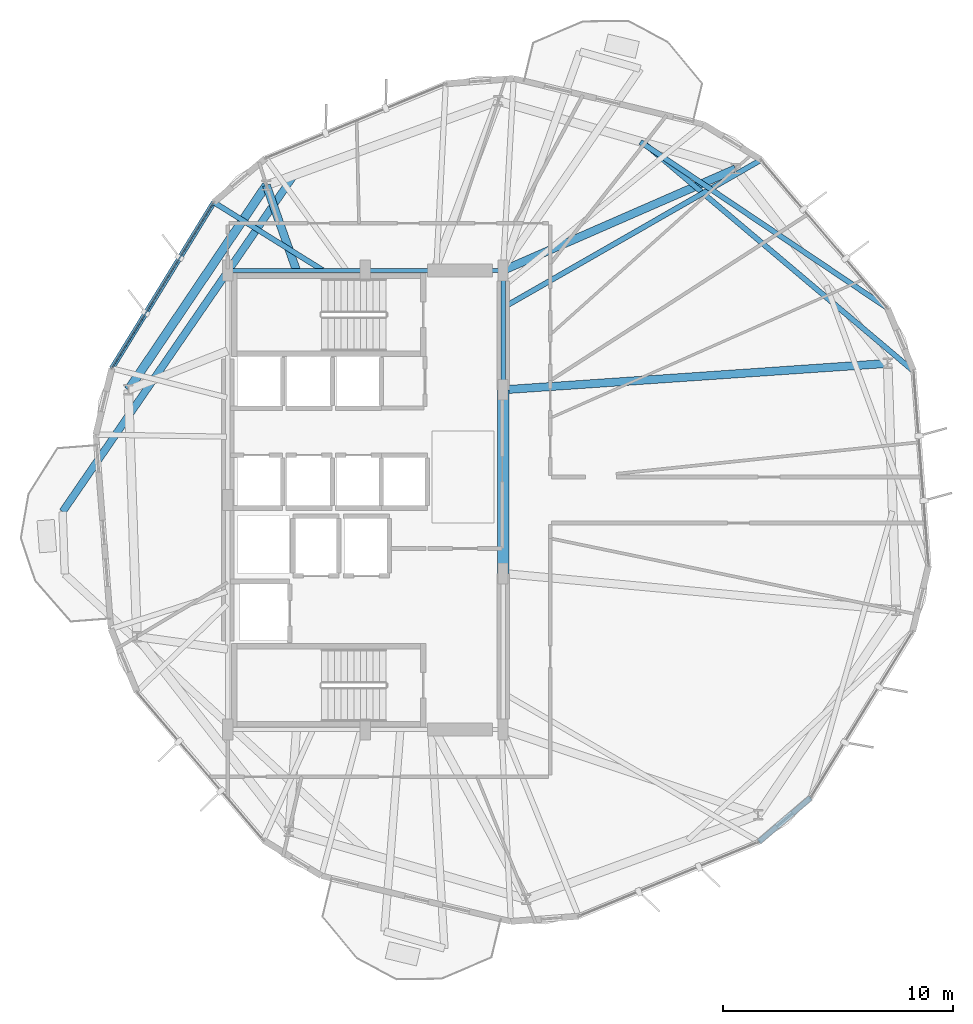
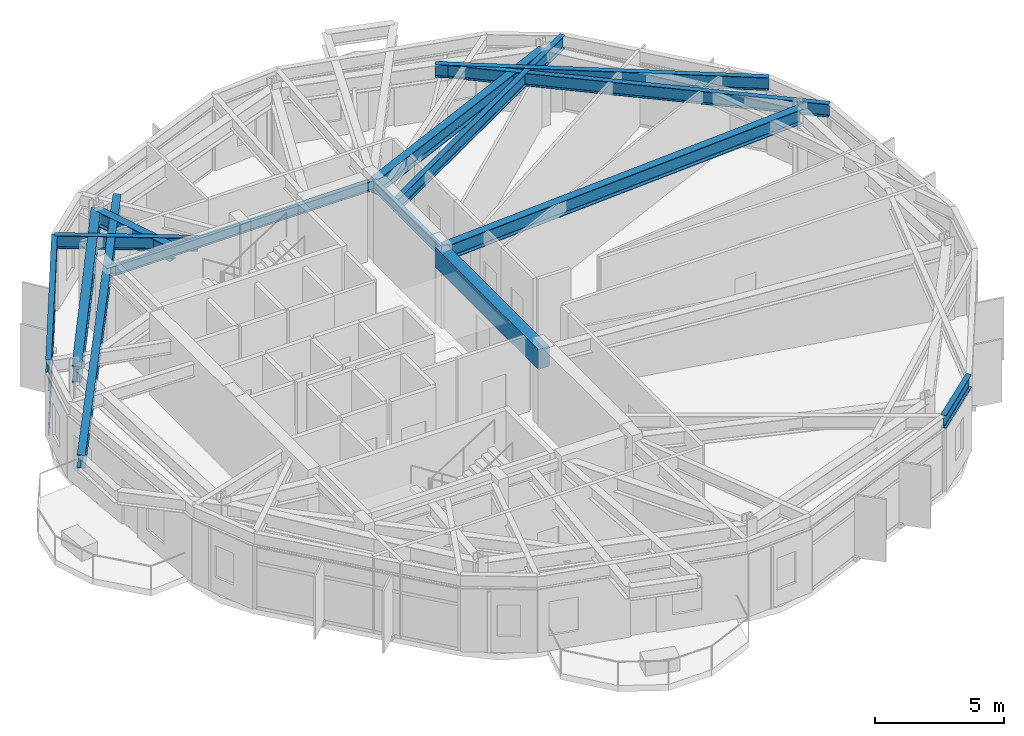
# One storey, part 8 of 21: 15 beams, 3 members, 1 element without a shape of its own.
"""IFC4 building model written with IfcOpenShell, lengths in metres."""

from ifc_helpers import new_model, si_unit, direction, frame, origin, origin_2d, place, context, subcontext, project, spatial, rectangle, hollow_rectangle, i_section, extrude, material, layer, layer_set, material_profile, profile_set, type_object, element, aggregate, save


model = new_model("IFC4")

# Units and contexts
model_context = context("Model", 3, precision=1e-05, world=origin(), true_north=direction((0.0, 1.0)))
body_context = subcontext(model_context, "Body", "Model", "MODEL_VIEW")
ifc_project = project(units=[si_unit("LENGTHUNIT", "METRE"), si_unit("AREAUNIT", "SQUARE_METRE"), si_unit("VOLUMEUNIT", "CUBIC_METRE"), si_unit("PLANEANGLEUNIT", "RADIAN"), si_unit("MASSUNIT", "GRAM", prefix="KILO")], contexts=[model_context])

# Site, building, storey
site_placement = place(None, origin())
site = spatial("IfcSite", under=ifc_project, at=site_placement, CompositionType="ELEMENT")
building_placement = place(site_placement, origin())
building = spatial("IfcBuilding", under=site, at=building_placement, Name="Soratama Intermodal Tower", CompositionType="ELEMENT")
storey_placement = place(building_placement, frame((0.0, 0.0, 114.699951171875)))
storey = spatial("IfcBuildingStorey", under=building, at=storey_placement, Name="L27", CompositionType="ELEMENT", Elevation=114.699951171875)

# Beams
ifc_material_1 = material(Name="Structural steel ASTM A992 Grade 50", Category="steel")
ifc_material_profile_1 = material_profile(ifc_material_1, i_section(OverallWidth=0.324951171875, OverallDepth=0.615966796875, WebThickness=0.013916015625, FlangeThickness=0.021484375, FilletRadius=0.013916015625, at=origin_2d()), Name="W24X117")
ifc_profile_set_1 = profile_set([ifc_material_profile_1], Name="Structural steel ASTM A992 Grade 50")
beam_type_1 = type_object("IfcBeamType", Name="BM-CANT-W24X117", PredefinedType="BEAM", material=ifc_profile_set_1)
beam_1_placement = place(storey_placement, frame((35.466064453125, 39.115966796875, 3.2919921875), z_axis=(-0.566547504396, -0.82402908035, 0.0), x_axis=(0.82402908035, -0.566547504396, 0.0)))
element("IfcBeam", 1, at=beam_1_placement, inside=storey, type_object=beam_type_1, Name="BM-L27-CANT-2-1", PredefinedType="BEAM", context=body_context, shape_type="SweptSolid", body=[
    extrude(i_section(OverallWidth=0.324951171875, OverallDepth=0.615966796875, WebThickness=0.013916015625, FlangeThickness=0.021484375, FilletRadius=0.013916015625, at=origin_2d()), origin(), (0.0, 0.0, 1.0), 17.748046875),
])
ifc_material_2 = material(Name="Concrete f'c 56 MPa", Category="concrete")
ifc_material_profile_2 = material_profile(ifc_material_2, rectangle(XDim=0.5, YDim=0.949951171875, at=origin_2d()), Name="RC500X950")
ifc_profile_set_2 = profile_set([ifc_material_profile_2], Name="Concrete f'c 56 MPa")
beam_type_2 = type_object("IfcBeamType", Name="BM-CPL-RC500X950", PredefinedType="BEAM", material=ifc_profile_set_2)
beam_2_placement = place(storey_placement, frame((44.60009765625, 21.800048828125, 3.125), z_axis=(0.0, 1.0, 0.0), x_axis=(-1.0, 0.0, 0.0)))
element("IfcBeam", 2, at=beam_2_placement, inside=storey, type_object=beam_type_2, Name="L27 Core Coupling Beam East", PredefinedType="BEAM", context=body_context, shape_type="SweptSolid", body=[
    extrude(rectangle(XDim=0.5, YDim=0.949951171875, at=origin_2d()), origin(), (0.0, 0.0, 1.0), 8.0),
])
ifc_material_3 = material(Name="Structural steel ASTM A992 Grade 50", Category="steel")
ifc_material_profile_3 = material_profile(ifc_material_3, i_section(OverallWidth=0.19091796875, OverallDepth=0.4599609375, WebThickness=0.010009765625, FlangeThickness=0.01611328125, FilletRadius=0.010986328125, at=origin_2d()), Name="W18X55")
ifc_profile_set_3 = profile_set([ifc_material_profile_3], Name="Structural steel ASTM A992 Grade 50")
beam_type_3 = type_object("IfcBeamType", Name="BM-FLR-W18X55", PredefinedType="BEAM", material=ifc_profile_set_3)
beam_3_placement = place(storey_placement, frame((44.60009765625, 29.800048828125, 3.3701171875), z_axis=(0.0, 1.0, 0.0), x_axis=(-1.0, 0.0, 0.0)))
element("IfcBeam", 3, at=beam_3_placement, inside=storey, type_object=beam_type_3, Name="BM-L27-CRING-05", PredefinedType="BEAM", context=body_context, shape_type="SweptSolid", body=[
    extrude(i_section(OverallWidth=0.19091796875, OverallDepth=0.4599609375, WebThickness=0.010009765625, FlangeThickness=0.01611328125, FilletRadius=0.010986328125, at=origin_2d()), origin(), (0.0, 0.0, 1.0), 5.199951171875),
])
for number, where, z_axis, x_axis, name in (
    (4, (44.60009765625, 35.0, 3.3701171875), (-1.0, 0.0, 0.0), (0.0, -1.0, 0.0), "BM-L27-CRING-06"),
    (5, (38.60009765625, 35.0, 3.3701171875), (-1.0, 0.0, 0.0), (0.0, -1.0, 0.0), "BM-L27-CRING-07"),
):
    element("IfcBeam", number, at=place(storey_placement, frame(where, z_axis=z_axis, x_axis=x_axis)), inside=storey, type_object=beam_type_3, Name=name, PredefinedType="BEAM", context=body_context, shape_type="SweptSolid", body=[
        extrude(i_section(OverallWidth=0.19091796875, OverallDepth=0.4599609375, WebThickness=0.010009765625, FlangeThickness=0.01611328125, FilletRadius=0.010986328125, at=origin_2d()), origin(), (0.0, 0.0, 1.0), 6.0),
    ])
ifc_material_4 = material(Name="Structural steel ASTM A992 Grade 50", Category="steel")
ifc_material_profile_4 = material_profile(ifc_material_4, i_section(OverallWidth=0.35498046875, OverallDepth=0.695068359375, WebThickness=0.015380859375, FlangeThickness=0.02490234375, FilletRadius=0.01611328125, at=origin_2d()), Name="W27X146")
ifc_profile_set_4 = profile_set([ifc_material_profile_4], Name="Structural steel ASTM A992 Grade 50")
beam_type_4 = type_object("IfcBeamType", Name="BM-RING-W27X146", PredefinedType="BEAM", material=ifc_profile_set_4)
beam_4_placement = place(storey_placement, frame((44.60009765625, 29.800048828125, 3.25244140625), z_axis=(0.99764812202, 0.06854359656, 0.0), x_axis=(-0.06854359656, 0.99764812202, 0.0)))
element("IfcBeam", 6, at=beam_4_placement, inside=storey, type_object=beam_type_4, Name="BM-L27-RAD-01", PredefinedType="BEAM", context=body_context, shape_type="SweptSolid", body=[
    extrude(i_section(OverallWidth=0.35498046875, OverallDepth=0.695068359375, WebThickness=0.015380859375, FlangeThickness=0.02490234375, FilletRadius=0.01611328125, at=origin_2d()), origin(), (0.0, 0.0, 1.0), 16.79052734375),
])
beam_5_placement = place(storey_placement, frame((44.60009765625, 35.0, 3.25244140625), z_axis=(0.91638224797, 0.400304353718, 0.0), x_axis=(-0.400304353718, 0.91638224797, 0.0)))
element("IfcBeam", 7, at=beam_5_placement, inside=storey, type_object=beam_type_4, Name="BM-L27-RAD-02", PredefinedType="BEAM", context=body_context, shape_type="SweptSolid", body=[
    extrude(i_section(OverallWidth=0.35498046875, OverallDepth=0.695068359375, WebThickness=0.015380859375, FlangeThickness=0.02490234375, FilletRadius=0.01611328125, at=origin_2d()), origin(), (0.0, 0.0, 1.0), 11.05419921875),
])
beam_6_placement = place(storey_placement, frame((35.60009765625, 35.0, 3.25244140625), z_axis=(-0.333332697239, 0.942809266475, 0.0), x_axis=(-0.942809266475, -0.333332697239, 0.0)))
element("IfcBeam", 8, at=beam_6_placement, inside=storey, type_object=beam_type_4, Name="BM-L27-RAD-04", PredefinedType="BEAM", context=body_context, shape_type="SweptSolid", body=[
    extrude(i_section(OverallWidth=0.35498046875, OverallDepth=0.695068359375, WebThickness=0.015380859375, FlangeThickness=0.02490234375, FilletRadius=0.01611328125, at=origin_2d()), origin(), (0.0, 0.0, 1.0), 3.93603515625),
])
ifc_material_5 = material(Name="Structural steel ASTM A992 Grade 50", Category="steel")
ifc_material_profile_5 = material_profile(ifc_material_5, i_section(OverallWidth=0.382080078125, OverallDepth=0.779052734375, WebThickness=0.01806640625, FlangeThickness=0.030029296875, FilletRadius=0.01806640625, at=origin_2d()), Name="W30X191")
ifc_profile_set_5 = profile_set([ifc_material_profile_5], Name="Structural steel ASTM A992 Grade 50")
beam_type_5 = type_object("IfcBeamType", Name="BM-RING-W30X191", PredefinedType="BEAM", material=ifc_profile_set_5)
beam_7_placement = place(storey_placement, frame((34.2880859375, 38.7109375, 3.21044921875), z_axis=(-0.559249807749, -0.828999187293, 0.0), x_axis=(0.828999187293, -0.559249807749, 0.0)))
element("IfcBeam", 9, at=beam_7_placement, inside=storey, type_object=beam_type_5, Name="BM-L27-RING-04", PredefinedType="BEAM", context=body_context, shape_type="SweptSolid", body=[
    extrude(i_section(OverallWidth=0.382080078125, OverallDepth=0.779052734375, WebThickness=0.01806640625, FlangeThickness=0.030029296875, FilletRadius=0.01806640625, at=origin_2d()), origin(), (0.0, 0.0, 1.0), 10.75390625),
])
ifc_material_6 = material(Name="Structural steel ASTM A992 Grade 50", Category="steel")
ifc_material_profile_6 = material_profile(ifc_material_6, i_section(OverallWidth=0.22900390625, OverallDepth=0.612060546875, WebThickness=0.011962890625, FlangeThickness=0.01953125, FilletRadius=0.012939453125, at=origin_2d()), Name="W24X84")
ifc_profile_set_6 = profile_set([ifc_material_profile_6], Name="Structural steel ASTM A992 Grade 50")
beam_type_6 = type_object("IfcBeamType", Name="BM-SPN-W24X84", PredefinedType="SPANDREL", material=ifc_profile_set_6)
beam_8_placement = place(storey_placement, frame((31.998046875, 37.968017578125, 3.2939453125), z_axis=(-0.523389774417, -0.852093389269, 0.0), x_axis=(0.852093389269, -0.523389774417, 0.0)))
element("IfcBeam", 10, at=beam_8_placement, inside=storey, type_object=beam_type_6, Name="BS-L27-F04", PredefinedType="SPANDREL", context=body_context, shape_type="SweptSolid", body=[
    extrude(i_section(OverallWidth=0.22900390625, OverallDepth=0.612060546875, WebThickness=0.011962890625, FlangeThickness=0.01953125, FilletRadius=0.012939453125, at=origin_2d()), origin(), (0.0, 0.0, 1.0), 8.490966796875),
])
beam_9_placement = place(storey_placement, frame((55.743896484375, 10.10693359375, 3.2939453125), z_axis=(0.760990451925, 0.648763078542, 0.0), x_axis=(-0.648763078542, 0.760990451925, 0.0)))
element("IfcBeam", 11, at=beam_9_placement, inside=storey, type_object=beam_type_6, Name="BS-L27-CRN08", PredefinedType="SPANDREL", context=body_context, shape_type="SweptSolid", body=[
    extrude(i_section(OverallWidth=0.22900390625, OverallDepth=0.612060546875, WebThickness=0.011962890625, FlangeThickness=0.01953125, FilletRadius=0.012939453125, at=origin_2d()), origin(), (0.0, 0.0, 1.0), 2.96728515625),
])
ifc_material_7 = material(Name="Structural steel ASTM A992 Grade 50", Category="steel")
ifc_material_profile_7 = material_profile(ifc_material_7, i_section(OverallWidth=0.22900390625, OverallDepth=0.612060546875, WebThickness=0.011962890625, FlangeThickness=0.01953125, FilletRadius=0.012939453125, at=origin_2d()), Name="W24X84")
ifc_profile_set_7 = profile_set([ifc_material_profile_7], Name="Structural steel ASTM A992 Grade 50")
beam_type_7 = type_object("IfcBeamType", Name="BM-TIE-W24X84", PredefinedType="BEAM", material=ifc_profile_set_7)
beam_10_placement = place(storey_placement, frame((50.58203125, 40.60205078125, 3.2939453125), z_axis=(0.829739533443, -0.558150792028, 0.0), x_axis=(0.558150792028, 0.829739533443, 0.0)))
element("IfcBeam", 12, at=beam_10_placement, inside=storey, type_object=beam_type_7, Name="BM-L27-TIE0-01", PredefinedType="BEAM", context=body_context, shape_type="SweptSolid", body=[
    extrude(i_section(OverallWidth=0.22900390625, OverallDepth=0.612060546875, WebThickness=0.011962890625, FlangeThickness=0.01953125, FilletRadius=0.012939453125, at=origin_2d()), origin(), (0.0, 0.0, 1.0), 12.978759765625),
])
beam_11_placement = place(storey_placement, frame((44.635009765625, 33.39892578125, 3.2939453125), z_axis=(0.867708804444, 0.497072862556, 0.0), x_axis=(-0.497072862556, 0.867708804444, 0.0)))
element("IfcBeam", 13, at=beam_11_placement, inside=storey, type_object=beam_type_7, Name="BM-L27-TIE1-01", PredefinedType="BEAM", context=body_context, shape_type="SweptSolid", body=[
    extrude(i_section(OverallWidth=0.22900390625, OverallDepth=0.612060546875, WebThickness=0.011962890625, FlangeThickness=0.01953125, FilletRadius=0.012939453125, at=origin_2d()), origin(), (0.0, 0.0, 1.0), 12.91796875),
])
beam_12_placement = place(storey_placement, frame((36.72900390625, 35.02099609375, 3.2939453125), z_axis=(-0.848789724497, 0.528730558592, 0.0), x_axis=(-0.528730558592, -0.848789724497, 0.0)))
element("IfcBeam", 14, at=beam_12_placement, inside=storey, type_object=beam_type_7, Name="BM-L27-TIE0-04", PredefinedType="BEAM", context=body_context, shape_type="SweptSolid", body=[
    extrude(i_section(OverallWidth=0.22900390625, OverallDepth=0.612060546875, WebThickness=0.011962890625, FlangeThickness=0.01953125, FilletRadius=0.012939453125, at=origin_2d()), origin(), (0.0, 0.0, 1.0), 5.57373046875),
])
beam_13_placement = place(storey_placement, frame((50.714111328125, 40.56005859375, 3.2939453125), z_axis=(0.76386448126, -0.645376676268, 0.0), x_axis=(0.645376676268, 0.76386448126, 0.0)))
element("IfcBeam", 15, at=beam_13_placement, inside=storey, type_object=beam_type_7, Name="BM-L27-TIE1-10", PredefinedType="BEAM", context=body_context, shape_type="SweptSolid", body=[
    extrude(i_section(OverallWidth=0.22900390625, OverallDepth=0.612060546875, WebThickness=0.011962890625, FlangeThickness=0.01953125, FilletRadius=0.012939453125, at=origin_2d()), origin(), (0.0, 0.0, 1.0), 15.408203125),
])

# Curtain wall, members
ifc_material_8 = material(Name="Double-glazed aluminium curtain wall", Category="aluminium")
ifc_layer = layer(ifc_material_8, 0.159912109375)
ifc_layer_set = layer_set([ifc_layer], Name="Double-glazed aluminium curtain wall")
curtain_wall_type = type_object("IfcCurtainWallType", Name="CW-SYS-3", PredefinedType="NOTDEFINED", material=ifc_layer_set)
curtain_wall_placement = place(storey_placement, origin())
curtain_wall = element("IfcCurtainWall", 16, at=curtain_wall_placement, inside=storey, type_object=curtain_wall_type, Name="L27 Faceted Curtain Wall F04", PredefinedType="NOTDEFINED")
ifc_material_9 = material(Name="Anodised aluminium AA 6063-T6", Category="aluminium")
ifc_material_profile_8 = material_profile(ifc_material_9, hollow_rectangle(XDim=0.06494140625, YDim=0.14990234375, WallThickness=0.0048828125, InnerFilletRadius=0.0048828125, OuterFilletRadius=0.010009765625, at=origin_2d()), Name="CWT150X65X5")
ifc_profile_set_8 = profile_set([ifc_material_profile_8], Name="Anodised aluminium AA 6063-T6")
member_type = type_object("IfcMemberType", Name="TT-CWT-1", PredefinedType="USERDEFINED", material=ifc_profile_set_8)
member_1_placement = place(storey_placement, frame((31.967041015625, 37.917236328125, 0.030029296875), z_axis=(-0.523397535853, -0.852088621836, 0.0), x_axis=(0.852088621836, -0.523397535853, 0.0)))
member_1 = element("IfcMember", 17, at=member_1_placement, type_object=member_type, Name="CW-3 transom 1.1", ObjectType="TRANSOM", PredefinedType="USERDEFINED", context=body_context, shape_type="SweptSolid", body=[
    extrude(hollow_rectangle(XDim=0.06494140625, YDim=0.14990234375, WallThickness=0.0048828125, InnerFilletRadius=0.0048828125, OuterFilletRadius=0.010009765625, at=origin_2d()), origin(), (0.0, 0.0, 1.0), 8.37109375),
])
member_2_placement = place(storey_placement, frame((31.967041015625, 37.917236328125, 2.150146484375), z_axis=(-0.523397535853, -0.852088621836, 0.0), x_axis=(0.852088621836, -0.523397535853, 0.0)))
member_2 = element("IfcMember", 18, at=member_2_placement, type_object=member_type, Name="CW-3 transom 1.2", ObjectType="TRANSOM", PredefinedType="USERDEFINED", context=body_context, shape_type="SweptSolid", body=[
    extrude(hollow_rectangle(XDim=0.06494140625, YDim=0.14990234375, WallThickness=0.0048828125, InnerFilletRadius=0.0048828125, OuterFilletRadius=0.010009765625, at=origin_2d()), origin(), (0.0, 0.0, 1.0), 8.37109375),
])
member_3_placement = place(storey_placement, frame((31.967041015625, 37.917236328125, 2.948974609375), z_axis=(-0.523397535853, -0.852088621836, 0.0), x_axis=(0.852088621836, -0.523397535853, 0.0)))
member_3 = element("IfcMember", 19, at=member_3_placement, type_object=member_type, Name="CW-3 transom 1.3", ObjectType="TRANSOM", PredefinedType="USERDEFINED", context=body_context, shape_type="SweptSolid", body=[
    extrude(hollow_rectangle(XDim=0.06494140625, YDim=0.14990234375, WallThickness=0.0048828125, InnerFilletRadius=0.0048828125, OuterFilletRadius=0.010009765625, at=origin_2d()), origin(), (0.0, 0.0, 1.0), 8.37109375),
])
aggregate(curtain_wall, [member_1, member_2, member_3])

save(model, "model.ifc")
